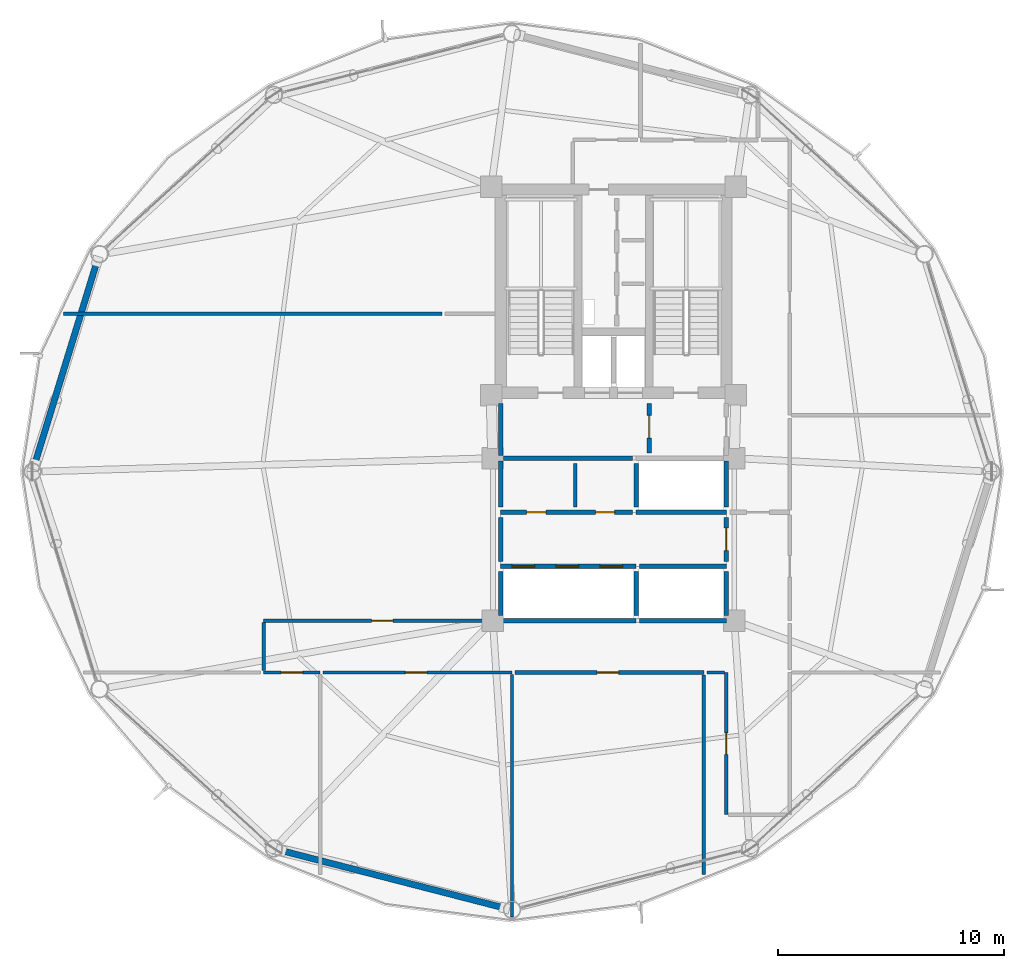
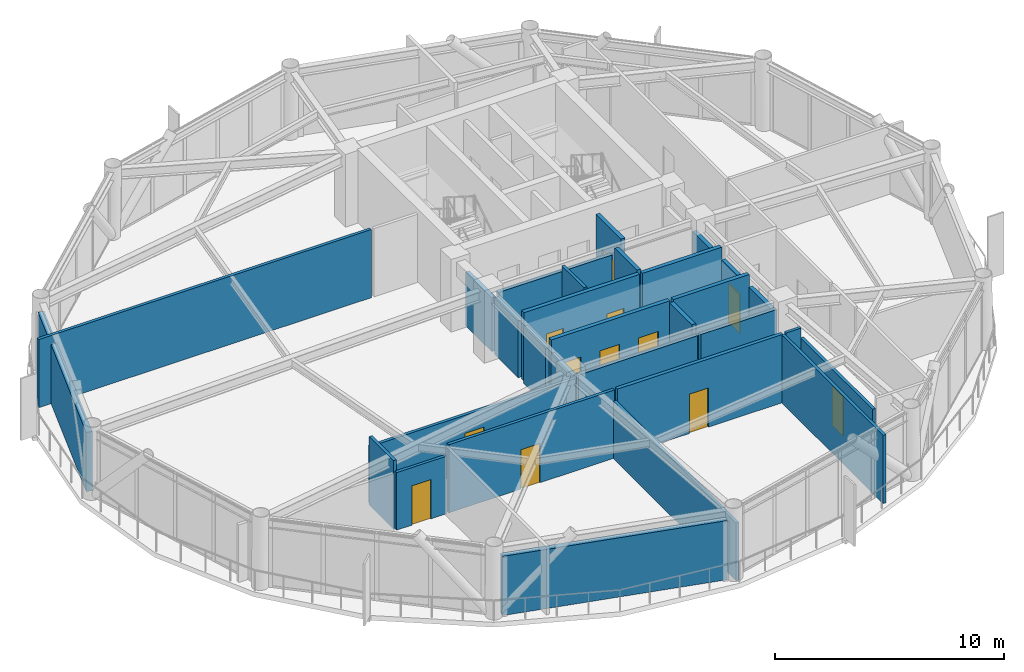
# One storey, part 20 of 25: 30 walls, 12 doors, 12 openings.
"""IFC4 building model written with IfcOpenShell, lengths in metres."""

from ifc_helpers import new_model, si_unit, direction, frame, frame_2d, origin, place, context, subcontext, project, spatial, rectangle, extrude, material, layer, layer_set, type_object, element, fill, save


model = new_model("IFC4")

# Units and contexts
model_context = context("Model", 3, precision=1e-05, world=origin(), true_north=direction((0.0, 1.0)))
body_context = subcontext(model_context, "Body", "Model", "MODEL_VIEW")
ifc_project = project(units=[si_unit("LENGTHUNIT", "METRE"), si_unit("AREAUNIT", "SQUARE_METRE"), si_unit("VOLUMEUNIT", "CUBIC_METRE"), si_unit("PLANEANGLEUNIT", "RADIAN"), si_unit("MASSUNIT", "GRAM", prefix="KILO")], contexts=[model_context])

# Site, building, storey
site_placement = place(None, origin())
site = spatial("IfcSite", under=ifc_project, at=site_placement, CompositionType="ELEMENT")
building_placement = place(site_placement, origin())
building = spatial("IfcBuilding", under=site, at=building_placement, Name="Varnakorn Sky Granary", CompositionType="ELEMENT")
storey_placement = place(building_placement, frame((0.0, 0.0, 122.699951171875)))
storey = spatial("IfcBuildingStorey", under=building, at=storey_placement, Name="L30", CompositionType="ELEMENT", Elevation=122.699951171875)

# Walls
ifc_material_1 = material(Name="Precast concrete C40/50", Category="concrete")
ifc_layer_1 = layer(ifc_material_1, 0.280029296875, Name="Precast concrete C40/50")
ifc_layer_set_1 = layer_set([ifc_layer_1], Name="Precast concrete C40/50")
wall_type_1 = type_object("IfcWallType", Name="WT-EW-CRN-280", PredefinedType="SOLIDWALL", material=ifc_layer_set_1)
wall_1_placement = place(storey_placement, frame((-22.6513671875, 0.3212890625, 0.0), z_axis=(0.0, 0.0, 1.0), x_axis=(0.293816185851, 0.955861940309, 0.0)))
element("IfcWall", 1, at=wall_1_placement, inside=storey, type_object=wall_type_1, Name="Agritech Insulated Precast Facade Wall L30-P06", PredefinedType="SOLIDWALL", context=body_context, shape_type="SweptSolid", body=[
    extrude(rectangle(XDim=9.416015625, YDim=0.280029296875, at=frame_2d((4.7080078125, 0.0))), origin(), (0.0, 0.0, 1.0), 3.16015625),
])
wall_2_placement = place(storey_placement, frame((-1.825439453125, -19.337158203125, 0.0), z_axis=(0.0, 0.0, 1.0), x_axis=(-0.968402744181, 0.249391509604, 0.0)))
element("IfcWall", 2, at=wall_2_placement, inside=storey, type_object=wall_type_1, Name="Agritech Insulated Precast Facade Wall L30-P09", PredefinedType="SOLIDWALL", context=body_context, shape_type="SweptSolid", body=[
    extrude(rectangle(XDim=10.22998046875, YDim=0.280029296875, at=frame_2d((5.114990234375, 0.0))), origin(), (0.0, 0.0, 1.0), 3.16015625),
])

# Wall, opening, door
ifc_material_2 = material(Name="Autoclaved Aerated Concrete Blockwork", Category="masonry")
ifc_layer_2 = layer(ifc_material_2, 0.199951171875, Name="Autoclaved Aerated Concrete Blockwork")
ifc_layer_set_2 = layer_set([ifc_layer_2], Name="Autoclaved Aerated Concrete Blockwork")
wall_type_2 = type_object("IfcWallType", Name="WT-FIRE-200", PredefinedType="MOVABLE", material=ifc_layer_set_2)
wall_3_placement = place(storey_placement, frame((4.580078125, 0.830078125, 0.0), z_axis=(0.0, 0.0, 1.0), x_axis=(0.0, 1.0, 0.0)))
wall_3 = element("IfcWall", 3, at=wall_3_placement, inside=storey, type_object=wall_type_2, Name="Interior Partition Wall L30-014", PredefinedType="MOVABLE", context=body_context, shape_type="SweptSolid", body=[
    extrude(rectangle(XDim=2.18994140625, YDim=0.199951171875, at=frame_2d((1.094970703125, 0.0))), origin(), (0.0, 0.0, 1.0), 3.64013671875),
])
opening_1_placement = place(wall_3_placement, frame((0.659912109375, 0.0, 0.0)))
opening_1 = element("IfcOpeningElement", 4, at=opening_1_placement, cuts=wall_3, Name="Opening FD-60", PredefinedType="OPENING", context=body_context, shape_type="SweptSolid", body=[
    extrude(rectangle(XDim=1.0, YDim=2.10009765625, at=frame_2d((0.5, 1.050048828125))), frame((0.0, 0.10986328125, 0.0), z_axis=(0.0, -1.0, 0.0), x_axis=(1.0, 0.0, 0.0)), (0.0, 0.0, 1.0), 0.219970703125),
])
ifc_material_3 = material(Name="Acoustic Timber Fire Leaf", Category="wood")
door_type_1 = type_object("IfcDoorType", Name="DR-FD60-1000", OperationType="NOTDEFINED", PredefinedType="DOOR", material=ifc_material_3)
door_1_placement = place(opening_1_placement, origin())
door_1 = element("IfcDoor", 5, at=door_1_placement, inside=storey, type_object=door_type_1, Name="Interior Door L30-014-1", OperationType="SINGLE_SWING_RIGHT", OverallHeight=2.10009765625, OverallWidth=1.0, PredefinedType="DOOR", context=body_context, shape_type="SweptSolid", body=[
    extrude(rectangle(XDim=1.0, YDim=2.10009765625, at=frame_2d((0.5, 1.050048828125))), frame((0.0, 0.02490234375, 0.0), z_axis=(0.0, -1.0, 0.0), x_axis=(1.0, 0.0, 0.0)), (0.0, 0.0, 1.0), 0.050048828125),
])
fill(opening_1, door_1)

wall_4_placement = place(storey_placement, frame((8.0, -3.969970703125, 0.0), z_axis=(0.0, 0.0, 1.0), x_axis=(0.0, 1.0, 0.0)))
wall_4 = element("IfcWall", 6, at=wall_4_placement, inside=storey, type_object=wall_type_2, Name="Interior Partition Wall L30-016", PredefinedType="MOVABLE", context=body_context, shape_type="SweptSolid", body=[
    extrude(rectangle(XDim=1.93994140625, YDim=0.199951171875, at=frame_2d((0.969970703125, 0.0))), origin(), (0.0, 0.0, 1.0), 3.072021484375),
])
opening_2_placement = place(wall_4_placement, frame((0.469970703125, 0.0, 0.0)))
opening_2 = element("IfcOpeningElement", 7, at=opening_2_placement, cuts=wall_4, Name="Opening FD-60", PredefinedType="OPENING", context=body_context, shape_type="SweptSolid", body=[
    extrude(rectangle(XDim=1.0, YDim=2.10009765625, at=frame_2d((0.5, 1.050048828125))), frame((0.0, 0.10986328125, 0.0), z_axis=(0.0, -1.0, 0.0), x_axis=(1.0, 0.0, 0.0)), (0.0, 0.0, 1.0), 0.219970703125),
])
door_2_placement = place(opening_2_placement, origin())
door_2 = element("IfcDoor", 8, at=door_2_placement, inside=storey, type_object=door_type_1, Name="Interior Door L30-016-1", OperationType="SINGLE_SWING_RIGHT", OverallHeight=2.10009765625, OverallWidth=1.0, PredefinedType="DOOR", context=body_context, shape_type="SweptSolid", body=[
    extrude(rectangle(XDim=1.0, YDim=2.10009765625, at=frame_2d((0.5, 1.050048828125))), frame((0.0, 0.02490234375, 0.0), z_axis=(0.0, -1.0, 0.0), x_axis=(1.0, 0.0, 0.0)), (0.0, 0.0, 1.0), 0.050048828125),
])
fill(opening_2, door_2)

# Wall, openings, doors
wall_5_placement = place(storey_placement, frame((-2.0, -1.800048828125, 0.0), z_axis=(0.0, 0.0, 1.0), x_axis=(1.0, 0.0, 0.0)))
wall_5 = element("IfcWall", 9, at=wall_5_placement, inside=storey, type_object=wall_type_2, Name="Interior Partition Wall L30-017", PredefinedType="MOVABLE", context=body_context, shape_type="SweptSolid", body=[
    extrude(rectangle(XDim=5.840087890625, YDim=0.199951171875, at=frame_2d((2.919921875, 0.0))), origin(), (0.0, 0.0, 1.0), 3.64013671875),
])
opening_3_placement = place(wall_5_placement, frame((1.14990234375, 0.0, 0.0)))
opening_3 = element("IfcOpeningElement", 10, at=opening_3_placement, cuts=wall_5, Name="Opening FD-60N", PredefinedType="OPENING", context=body_context, shape_type="SweptSolid", body=[
    extrude(rectangle(XDim=0.85009765625, YDim=2.10009765625, at=frame_2d((0.425048828125, 1.050048828125))), frame((0.0, 0.10986328125, 0.0), z_axis=(0.0, -1.0, 0.0), x_axis=(1.0, 0.0, 0.0)), (0.0, 0.0, 1.0), 0.219970703125),
])
opening_4_placement = place(wall_5_placement, frame((4.199951171875, 0.0, 0.0)))
opening_4 = element("IfcOpeningElement", 11, at=opening_4_placement, cuts=wall_5, Name="Opening FD-60N", PredefinedType="OPENING", context=body_context, shape_type="SweptSolid", body=[
    extrude(rectangle(XDim=0.85009765625, YDim=2.10009765625, at=frame_2d((0.425048828125, 1.050048828125))), frame((0.0, 0.10986328125, 0.0), z_axis=(0.0, -1.0, 0.0), x_axis=(1.0, 0.0, 0.0)), (0.0, 0.0, 1.0), 0.219970703125),
])
door_type_2 = type_object("IfcDoorType", Name="DR-FD60-850", OperationType="NOTDEFINED", PredefinedType="DOOR", material=ifc_material_3)
door_3_placement = place(opening_3_placement, origin())
door_3 = element("IfcDoor", 12, at=door_3_placement, inside=storey, type_object=door_type_2, Name="Interior Door L30-017-1", OperationType="SINGLE_SWING_LEFT", OverallHeight=2.10009765625, OverallWidth=0.85009765625, PredefinedType="DOOR", context=body_context, shape_type="SweptSolid", body=[
    extrude(rectangle(XDim=0.85009765625, YDim=2.10009765625, at=frame_2d((0.425048828125, 1.050048828125))), frame((0.0, 0.02490234375, 0.0), z_axis=(0.0, -1.0, 0.0), x_axis=(1.0, 0.0, 0.0)), (0.0, 0.0, 1.0), 0.050048828125),
])
fill(opening_3, door_3)
door_4_placement = place(opening_4_placement, origin())
door_4 = element("IfcDoor", 13, at=door_4_placement, inside=storey, type_object=door_type_2, Name="Interior Door L30-017-2", OperationType="SINGLE_SWING_RIGHT", OverallHeight=2.10009765625, OverallWidth=0.85009765625, PredefinedType="DOOR", context=body_context, shape_type="SweptSolid", body=[
    extrude(rectangle(XDim=0.85009765625, YDim=2.10009765625, at=frame_2d((0.425048828125, 1.050048828125))), frame((0.0, 0.02490234375, 0.0), z_axis=(0.0, -1.0, 0.0), x_axis=(1.0, 0.0, 0.0)), (0.0, 0.0, 1.0), 0.050048828125),
])
fill(opening_4, door_4)

# Walls
wall_6_placement = place(storey_placement, frame((-1.8798828125, 0.60009765625, 0.0), z_axis=(0.0, 0.0, 1.0), x_axis=(1.0, 0.0, 0.0)))
element("IfcWall", 14, at=wall_6_placement, inside=storey, type_object=wall_type_2, Name="Interior Partition Wall L30-030", PredefinedType="MOVABLE", context=body_context, shape_type="SweptSolid", body=[
    extrude(rectangle(XDim=5.719970703125, YDim=0.199951171875, at=frame_2d((2.85986328125, 0.0))), origin(), (0.0, 0.0, 1.0), 3.22216796875),
])
wall_7_placement = place(storey_placement, frame((-2.0, 0.719970703125, 0.0), z_axis=(0.0, 0.0, 1.0), x_axis=(0.0, 1.0, 0.0)))
element("IfcWall", 15, at=wall_7_placement, inside=storey, type_object=wall_type_2, Name="Interior Partition Wall L30-031", PredefinedType="MOVABLE", context=body_context, shape_type="SweptSolid", body=[
    extrude(rectangle(XDim=2.300048828125, YDim=0.199951171875, at=frame_2d((1.14990234375, 0.0))), origin(), (0.0, 0.0, 1.0), 2.8720703125),
])
wall_8_placement = place(storey_placement, frame((-2.0, -3.969970703125, 0.0), z_axis=(0.0, 0.0, 1.0), x_axis=(0.0, 1.0, 0.0)))
element("IfcWall", 16, at=wall_8_placement, inside=storey, type_object=wall_type_2, Name="Interior Partition Wall L30-032", PredefinedType="MOVABLE", context=body_context, shape_type="SweptSolid", body=[
    extrude(rectangle(XDim=1.93994140625, YDim=0.199951171875, at=frame_2d((0.969970703125, 0.0))), origin(), (0.0, 0.0, 1.0), 3.02197265625),
])
wall_9_placement = place(storey_placement, frame((-2.0, -1.570068359375, 0.0), z_axis=(0.0, 0.0, 1.0), x_axis=(0.0, 1.0, 0.0)))
element("IfcWall", 17, at=wall_9_placement, inside=storey, type_object=wall_type_2, Name="Interior Partition Wall L30-034", PredefinedType="MOVABLE", context=body_context, shape_type="SweptSolid", body=[
    extrude(rectangle(XDim=2.050048828125, YDim=0.199951171875, at=frame_2d((1.02490234375, 0.0))), origin(), (0.0, 0.0, 1.0), 3.02197265625),
])

# Wall, opening, door
ifc_material_4 = material(Name="Gypsum Plasterboard on Steel Stud", Category="steel")
ifc_layer_3 = layer(ifc_material_4, 0.14990234375, Name="Gypsum Plasterboard on Steel Stud")
ifc_layer_set_3 = layer_set([ifc_layer_3], Name="Gypsum Plasterboard on Steel Stud")
wall_type_3 = type_object("IfcWallType", Name="WT-PART-150", PredefinedType="PARTITIONING", material=ifc_layer_set_3)
wall_10_placement = place(storey_placement, frame((-12.5, -8.89990234375, 0.0), z_axis=(0.0, 0.0, 1.0), x_axis=(1.0, 0.0, 0.0)))
wall_10 = element("IfcWall", 18, at=wall_10_placement, inside=storey, type_object=wall_type_3, Name="Interior Partition Wall L30-020", PredefinedType="PARTITIONING", context=body_context, shape_type="SweptSolid", body=[
    extrude(rectangle(XDim=2.5, YDim=0.14990234375, at=frame_2d((1.25, 0.0))), origin(), (0.0, 0.0, 1.0), 3.072021484375),
])
opening_5_placement = place(wall_10_placement, frame((0.77490234375, 0.0, 0.0)))
opening_5 = element("IfcOpeningElement", 19, at=opening_5_placement, cuts=wall_10, Name="Opening ID-95", PredefinedType="OPENING", context=body_context, shape_type="SweptSolid", body=[
    extrude(rectangle(XDim=0.949951171875, YDim=2.10009765625, at=frame_2d((0.47509765625, 1.050048828125))), frame((0.0, 0.0849609375, 0.0), z_axis=(0.0, -1.0, 0.0), x_axis=(1.0, 0.0, 0.0)), (0.0, 0.0, 1.0), 0.169921875),
])
ifc_material_5 = material(Name="Solid-Core Teak Veneer Leaf", Category="timber")
door_type_3 = type_object("IfcDoorType", Name="DR-INT-950", OperationType="NOTDEFINED", PredefinedType="DOOR", material=ifc_material_5)
door_5_placement = place(opening_5_placement, origin())
door_5 = element("IfcDoor", 20, at=door_5_placement, inside=storey, type_object=door_type_3, Name="Interior Door L30-020-1", OperationType="SINGLE_SWING_LEFT", OverallHeight=2.10009765625, OverallWidth=0.949951171875, PredefinedType="DOOR", context=body_context, shape_type="SweptSolid", body=[
    extrude(rectangle(XDim=0.949951171875, YDim=2.10009765625, at=frame_2d((0.47509765625, 1.050048828125))), frame((0.0, 0.02490234375, 0.0), z_axis=(0.0, -1.0, 0.0), x_axis=(1.0, 0.0, 0.0)), (0.0, 0.0, 1.0), 0.050048828125),
])
fill(opening_5, door_5)

wall_11_placement = place(storey_placement, frame((-9.864990234375, -8.89990234375, 0.0), z_axis=(0.0, 0.0, 1.0), x_axis=(1.0, 0.0, 0.0)))
wall_11 = element("IfcWall", 21, at=wall_11_placement, inside=storey, type_object=wall_type_3, Name="Interior Partition Wall L30-021", PredefinedType="PARTITIONING", context=body_context, shape_type="SweptSolid", body=[
    extrude(rectangle(XDim=8.364990234375, YDim=0.14990234375, at=frame_2d((4.1826171875, 0.0))), origin(), (0.0, 0.0, 1.0), 3.64013671875),
])
opening_6_placement = place(wall_11_placement, frame((3.639892578125, 0.0, 0.0)))
opening_6 = element("IfcOpeningElement", 22, at=opening_6_placement, cuts=wall_11, Name="Opening ID-95", PredefinedType="OPENING", context=body_context, shape_type="SweptSolid", body=[
    extrude(rectangle(XDim=0.949951171875, YDim=2.10009765625, at=frame_2d((0.47509765625, 1.050048828125))), frame((0.0, 0.0849609375, 0.0), z_axis=(0.0, -1.0, 0.0), x_axis=(1.0, 0.0, 0.0)), (0.0, 0.0, 1.0), 0.169921875),
])
door_6_placement = place(opening_6_placement, origin())
door_6 = element("IfcDoor", 23, at=door_6_placement, inside=storey, type_object=door_type_3, Name="Interior Door L30-021-1", OperationType="SINGLE_SWING_RIGHT", OverallHeight=2.10009765625, OverallWidth=0.949951171875, PredefinedType="DOOR", context=body_context, shape_type="SweptSolid", body=[
    extrude(rectangle(XDim=0.949951171875, YDim=2.10009765625, at=frame_2d((0.47509765625, 1.050048828125))), frame((0.0, 0.02490234375, 0.0), z_axis=(0.0, -1.0, 0.0), x_axis=(1.0, 0.0, 0.0)), (0.0, 0.0, 1.0), 0.050048828125),
])
fill(opening_6, door_6)

wall_12_placement = place(storey_placement, frame((8.0, -8.89990234375, 0.0), z_axis=(0.0, 0.0, 1.0), x_axis=(0.0, -1.0, 0.0)))
wall_12 = element("IfcWall", 24, at=wall_12_placement, inside=storey, type_object=wall_type_3, Name="Interior Partition Wall L30-023", PredefinedType="PARTITIONING", context=body_context, shape_type="SweptSolid", body=[
    extrude(rectangle(XDim=6.300048828125, YDim=0.14990234375, at=frame_2d((3.14990234375, 0.0))), origin(), (0.0, 0.0, 1.0), 3.072021484375),
])
opening_7_placement = place(wall_12_placement, frame((2.675048828125, 0.0, 0.0)))
opening_7 = element("IfcOpeningElement", 25, at=opening_7_placement, cuts=wall_12, Name="Opening ID-95", PredefinedType="OPENING", context=body_context, shape_type="SweptSolid", body=[
    extrude(rectangle(XDim=0.949951171875, YDim=2.10009765625, at=frame_2d((0.47509765625, 1.050048828125))), frame((0.0, 0.0849609375, 0.0), z_axis=(0.0, -1.0, 0.0), x_axis=(1.0, 0.0, 0.0)), (0.0, 0.0, 1.0), 0.169921875),
])
door_7_placement = place(opening_7_placement, origin())
door_7 = element("IfcDoor", 26, at=door_7_placement, inside=storey, type_object=door_type_3, Name="Interior Door L30-023-1", OperationType="SINGLE_SWING_RIGHT", OverallHeight=2.10009765625, OverallWidth=0.949951171875, PredefinedType="DOOR", context=body_context, shape_type="SweptSolid", body=[
    extrude(rectangle(XDim=0.949951171875, YDim=2.10009765625, at=frame_2d((0.47509765625, 1.050048828125))), frame((0.0, 0.02490234375, 0.0), z_axis=(0.0, -1.0, 0.0), x_axis=(1.0, 0.0, 0.0)), (0.0, 0.0, 1.0), 0.050048828125),
])
fill(opening_7, door_7)

wall_13_placement = place(storey_placement, frame((-2.159912109375, -6.60009765625, 0.0), z_axis=(0.0, 0.0, 1.0), x_axis=(-1.0, 0.0, 0.0)))
wall_13 = element("IfcWall", 27, at=wall_13_placement, inside=storey, type_object=wall_type_3, Name="Interior Partition Wall L30-024", PredefinedType="PARTITIONING", context=body_context, shape_type="SweptSolid", body=[
    extrude(rectangle(XDim=10.340087890625, YDim=0.14990234375, at=frame_2d((5.169921875, 0.0))), origin(), (0.0, 0.0, 1.0), 3.072021484375),
])
opening_8_placement = place(wall_13_placement, frame((4.614990234375, 0.0, 0.0)))
opening_8 = element("IfcOpeningElement", 28, at=opening_8_placement, cuts=wall_13, Name="Opening ID-95", PredefinedType="OPENING", context=body_context, shape_type="SweptSolid", body=[
    extrude(rectangle(XDim=0.949951171875, YDim=2.10009765625, at=frame_2d((0.47509765625, 1.050048828125))), frame((0.0, 0.0849609375, 0.0), z_axis=(0.0, -1.0, 0.0), x_axis=(1.0, 0.0, 0.0)), (0.0, 0.0, 1.0), 0.169921875),
])
door_8_placement = place(opening_8_placement, origin())
door_8 = element("IfcDoor", 29, at=door_8_placement, inside=storey, type_object=door_type_3, Name="Interior Door L30-024-1", OperationType="SINGLE_SWING_LEFT", OverallHeight=2.10009765625, OverallWidth=0.949951171875, PredefinedType="DOOR", context=body_context, shape_type="SweptSolid", body=[
    extrude(rectangle(XDim=0.949951171875, YDim=2.10009765625, at=frame_2d((0.47509765625, 1.050048828125))), frame((0.0, 0.02490234375, 0.0), z_axis=(0.0, -1.0, 0.0), x_axis=(1.0, 0.0, 0.0)), (0.0, 0.0, 1.0), 0.050048828125),
])
fill(opening_8, door_8)

# Walls
wall_14_placement = place(storey_placement, frame((1.300048828125, -1.570068359375, 0.0), z_axis=(0.0, 0.0, 1.0), x_axis=(0.0, 1.0, 0.0)))
element("IfcWall", 30, at=wall_14_placement, inside=storey, type_object=wall_type_3, Name="Interior Partition Wall L30-033", PredefinedType="PARTITIONING", context=body_context, shape_type="SweptSolid", body=[
    extrude(rectangle(XDim=1.940185546875, YDim=0.14990234375, at=frame_2d((0.97021484375, 0.0))), origin(), (0.0, 0.0, 1.0), 3.64013671875),
])
wall_15_placement = place(storey_placement, frame((-1.5, -8.985107421875, 0.0), z_axis=(0.0, 0.0, 1.0), x_axis=(0.0, -1.0, 0.0)))
element("IfcWall", 31, at=wall_15_placement, inside=storey, type_object=wall_type_3, Name="Interior Partition Wall L30-038", PredefinedType="PARTITIONING", context=body_context, shape_type="SweptSolid", body=[
    extrude(rectangle(XDim=10.745849609375, YDim=0.14990234375, at=frame_2d((5.373046875, 0.0))), origin(), (0.0, 0.0, 1.0), 3.072021484375),
])
wall_16_placement = place(storey_placement, frame((7.0, -9.0, 0.0), z_axis=(0.0, 0.0, 1.0), x_axis=(0.0, -1.0, 0.0)))
element("IfcWall", 32, at=wall_16_placement, inside=storey, type_object=wall_type_3, Name="Interior Partition Wall L30-039", PredefinedType="PARTITIONING", context=body_context, shape_type="SweptSolid", body=[
    extrude(rectangle(XDim=8.85009765625, YDim=0.14990234375, at=frame_2d((4.425048828125, 0.0))), origin(), (0.0, 0.0, 1.0), 3.64013671875),
])
wall_17_placement = place(storey_placement, frame((7.14990234375, -8.89990234375, 0.0), z_axis=(0.0, 0.0, 1.0), x_axis=(1.0, 0.0, 0.0)))
element("IfcWall", 33, at=wall_17_placement, inside=storey, type_object=wall_type_3, Name="Interior Partition Wall L30-042", PredefinedType="PARTITIONING", context=body_context, shape_type="SweptSolid", body=[
    extrude(rectangle(XDim=0.76513671875, YDim=0.14990234375, at=frame_2d((0.382568359375, 0.0))), origin(), (0.0, 0.0, 1.0), 3.64013671875),
])
wall_18_placement = place(storey_placement, frame((-12.5, -6.68505859375, 0.0), z_axis=(0.0, 0.0, 1.0), x_axis=(0.0, -1.0, 0.0)))
element("IfcWall", 34, at=wall_18_placement, inside=storey, type_object=wall_type_3, Name="Interior Partition Wall L30-044", PredefinedType="PARTITIONING", context=body_context, shape_type="SweptSolid", body=[
    extrude(rectangle(XDim=2.1298828125, YDim=0.14990234375, at=frame_2d((1.06494140625, 0.0))), origin(), (0.0, 0.0, 1.0), 3.64013671875),
])
wall_19_placement = place(storey_placement, frame((-21.3798828125, 7.0, 0.0), z_axis=(0.0, 0.0, 1.0), x_axis=(1.0, 0.0, 0.0)))
element("IfcWall", 35, at=wall_19_placement, inside=storey, type_object=wall_type_3, Name="Interior Partition Wall L30-045", PredefinedType="PARTITIONING", context=body_context, shape_type="SweptSolid", body=[
    extrude(rectangle(XDim=16.77978515625, YDim=0.14990234375, at=frame_2d((8.389892578125, 0.0))), origin(), (0.0, 0.0, 1.0), 3.64013671875),
])

# Wall, opening, door
ifc_material_6 = material(Name="Moisture-Resistant Gypsum on Stud", Category="gypsum")
ifc_layer_4 = layer(ifc_material_6, 0.179931640625, Name="Moisture-Resistant Gypsum on Stud")
ifc_layer_set_4 = layer_set([ifc_layer_4], Name="Moisture-Resistant Gypsum on Stud")
wall_type_4 = type_object("IfcWallType", Name="WT-PLUMB-180", PredefinedType="PLUMBINGWALL", material=ifc_layer_set_4)
wall_20_placement = place(storey_placement, frame((-1.364990234375, -8.89990234375, 0.0), z_axis=(0.0, 0.0, 1.0), x_axis=(1.0, 0.0, 0.0)))
wall_20 = element("IfcWall", 36, at=wall_20_placement, inside=storey, type_object=wall_type_4, Name="Interior Partition Wall L30-022", PredefinedType="PLUMBINGWALL", context=body_context, shape_type="SweptSolid", body=[
    extrude(rectangle(XDim=8.364990234375, YDim=0.179931640625, at=frame_2d((4.1826171875, 0.0))), origin(), (0.0, 0.0, 1.0), 3.64013671875),
])
opening_9_placement = place(wall_20_placement, frame((3.639892578125, 0.0, 0.0)))
opening_9 = element("IfcOpeningElement", 37, at=opening_9_placement, cuts=wall_20, Name="Opening ID-95", PredefinedType="OPENING", context=body_context, shape_type="SweptSolid", body=[
    extrude(rectangle(XDim=0.949951171875, YDim=2.10009765625, at=frame_2d((0.47509765625, 1.050048828125))), frame((0.0, 0.10009765625, 0.0), z_axis=(0.0, -1.0, 0.0), x_axis=(1.0, 0.0, 0.0)), (0.0, 0.0, 1.0), 0.199951171875),
])
door_9_placement = place(opening_9_placement, origin())
door_9 = element("IfcDoor", 38, at=door_9_placement, inside=storey, type_object=door_type_3, Name="Interior Door L30-022-1", OperationType="SINGLE_SWING_LEFT", OverallHeight=2.10009765625, OverallWidth=0.949951171875, PredefinedType="DOOR", context=body_context, shape_type="SweptSolid", body=[
    extrude(rectangle(XDim=0.949951171875, YDim=2.10009765625, at=frame_2d((0.47509765625, 1.050048828125))), frame((0.0, 0.02490234375, 0.0), z_axis=(0.0, -1.0, 0.0), x_axis=(1.0, 0.0, 0.0)), (0.0, 0.0, 1.0), 0.050048828125),
])
fill(opening_9, door_9)

# Walls
ifc_layer_5 = layer(ifc_material_2, 0.199951171875, Name="Autoclaved Aerated Concrete Blockwork")
ifc_layer_set_5 = layer_set([ifc_layer_5], Name="Autoclaved Aerated Concrete Blockwork")
wall_type_5 = type_object("IfcWallType", Name="WT-SHAFT-200", PredefinedType="SOLIDWALL", material=ifc_layer_set_5)
wall_21_placement = place(storey_placement, frame((4.0, -1.800048828125, 0.0), z_axis=(0.0, 0.0, 1.0), x_axis=(1.0, 0.0, 0.0)))
element("IfcWall", 39, at=wall_21_placement, inside=storey, type_object=wall_type_5, Name="Interior Partition Wall L30-003", PredefinedType="SOLIDWALL", context=body_context, shape_type="SweptSolid", body=[
    extrude(rectangle(XDim=4.0, YDim=0.199951171875, at=frame_2d((2.0, 0.0))), origin(), (0.0, 0.0, 1.0), 3.64013671875),
])
wall_22_placement = place(storey_placement, frame((4.0, -1.570068359375, 0.0), z_axis=(0.0, 0.0, 1.0), x_axis=(0.0, 1.0, 0.0)))
element("IfcWall", 40, at=wall_22_placement, inside=storey, type_object=wall_type_5, Name="Interior Partition Wall L30-004", PredefinedType="SOLIDWALL", context=body_context, shape_type="SweptSolid", body=[
    extrude(rectangle(XDim=1.940185546875, YDim=0.199951171875, at=frame_2d((0.97021484375, 0.0))), origin(), (0.0, 0.0, 1.0), 3.64013671875),
])
wall_23_placement = place(storey_placement, frame((8.0, -1.570068359375, 0.0), z_axis=(0.0, 0.0, 1.0), x_axis=(0.0, 1.0, 0.0)))
element("IfcWall", 41, at=wall_23_placement, inside=storey, type_object=wall_type_5, Name="Interior Partition Wall L30-005", PredefinedType="SOLIDWALL", context=body_context, shape_type="SweptSolid", body=[
    extrude(rectangle(XDim=2.050048828125, YDim=0.199951171875, at=frame_2d((1.02490234375, 0.0))), origin(), (0.0, 0.0, 1.0), 3.072021484375),
])

# Wall, openings, doors
wall_24_placement = place(storey_placement, frame((-2.0, -4.199951171875, 0.0), z_axis=(0.0, 0.0, 1.0), x_axis=(1.0, 0.0, 0.0)))
wall_24 = element("IfcWall", 42, at=wall_24_placement, inside=storey, type_object=wall_type_5, Name="Interior Partition Wall L30-006", PredefinedType="SOLIDWALL", context=body_context, shape_type="SweptSolid", body=[
    extrude(rectangle(XDim=6.0, YDim=0.199951171875, at=frame_2d((3.0, 0.0))), origin(), (0.0, 0.0, 1.0), 3.64013671875),
])
opening_10_placement = place(wall_24_placement, frame((0.5, 0.0, 0.0)))
opening_10 = element("IfcOpeningElement", 43, at=opening_10_placement, cuts=wall_24, Name="Opening LD-03", PredefinedType="OPENING", context=body_context, shape_type="SweptSolid", body=[
    extrude(rectangle(XDim=1.0, YDim=2.199951171875, at=frame_2d((0.5, 1.10009765625))), frame((0.0, 0.10986328125, 0.0), z_axis=(0.0, -1.0, 0.0), x_axis=(1.0, 0.0, 0.0)), (0.0, 0.0, 1.0), 0.219970703125),
])
opening_11_placement = place(wall_24_placement, frame((2.449951171875, 0.0, 0.0)))
opening_11 = element("IfcOpeningElement", 44, at=opening_11_placement, cuts=wall_24, Name="Opening LD-03", PredefinedType="OPENING", context=body_context, shape_type="SweptSolid", body=[
    extrude(rectangle(XDim=1.0, YDim=2.199951171875, at=frame_2d((0.5, 1.10009765625))), frame((0.0, 0.10986328125, 0.0), z_axis=(0.0, -1.0, 0.0), x_axis=(1.0, 0.0, 0.0)), (0.0, 0.0, 1.0), 0.219970703125),
])
opening_12_placement = place(wall_24_placement, frame((4.39990234375, 0.0, 0.0)))
opening_12 = element("IfcOpeningElement", 45, at=opening_12_placement, cuts=wall_24, Name="Opening LD-03", PredefinedType="OPENING", context=body_context, shape_type="SweptSolid", body=[
    extrude(rectangle(XDim=1.0, YDim=2.199951171875, at=frame_2d((0.5, 1.10009765625))), frame((0.0, 0.10986328125, 0.0), z_axis=(0.0, -1.0, 0.0), x_axis=(1.0, 0.0, 0.0)), (0.0, 0.0, 1.0), 0.219970703125),
])
ifc_material_7 = material(Name="Brushed Bronze Stainless Steel", Category="steel")
door_type_4 = type_object("IfcDoorType", Name="DR-LD-1000", OperationType="DOUBLE_DOOR_SLIDING", PredefinedType="DOOR", material=ifc_material_7)
door_10_placement = place(opening_10_placement, origin())
door_10 = element("IfcDoor", 46, at=door_10_placement, inside=storey, type_object=door_type_4, Name="Passenger Lift PL-M1 Sliding Landing Door L30", OperationType="DOUBLE_DOOR_SLIDING", OverallHeight=2.199951171875, OverallWidth=1.0, PredefinedType="DOOR", context=body_context, shape_type="SweptSolid", body=[
    extrude(rectangle(XDim=1.0, YDim=2.199951171875, at=frame_2d((0.5, 1.10009765625))), frame((0.0, 0.02490234375, 0.0), z_axis=(0.0, -1.0, 0.0), x_axis=(1.0, 0.0, 0.0)), (0.0, 0.0, 1.0), 0.050048828125),
])
fill(opening_10, door_10)
door_11_placement = place(opening_11_placement, origin())
door_11 = element("IfcDoor", 47, at=door_11_placement, inside=storey, type_object=door_type_4, Name="Passenger Lift PL-M2 Sliding Landing Door L30", OperationType="DOUBLE_DOOR_SLIDING", OverallHeight=2.199951171875, OverallWidth=1.0, PredefinedType="DOOR", context=body_context, shape_type="SweptSolid", body=[
    extrude(rectangle(XDim=1.0, YDim=2.199951171875, at=frame_2d((0.5, 1.10009765625))), frame((0.0, 0.02490234375, 0.0), z_axis=(0.0, -1.0, 0.0), x_axis=(1.0, 0.0, 0.0)), (0.0, 0.0, 1.0), 0.050048828125),
])
fill(opening_11, door_11)
door_12_placement = place(opening_12_placement, origin())
door_12 = element("IfcDoor", 48, at=door_12_placement, inside=storey, type_object=door_type_4, Name="Passenger Lift PL-M3 Sliding Landing Door L30", OperationType="DOUBLE_DOOR_SLIDING", OverallHeight=2.199951171875, OverallWidth=1.0, PredefinedType="DOOR", context=body_context, shape_type="SweptSolid", body=[
    extrude(rectangle(XDim=1.0, YDim=2.199951171875, at=frame_2d((0.5, 1.10009765625))), frame((0.0, 0.02490234375, 0.0), z_axis=(0.0, -1.0, 0.0), x_axis=(1.0, 0.0, 0.0)), (0.0, 0.0, 1.0), 0.050048828125),
])
fill(opening_12, door_12)

# Walls
wall_25_placement = place(storey_placement, frame((-2.0, -6.60009765625, 0.0), z_axis=(0.0, 0.0, 1.0), x_axis=(1.0, 0.0, 0.0)))
element("IfcWall", 49, at=wall_25_placement, inside=storey, type_object=wall_type_5, Name="Interior Partition Wall L30-007", PredefinedType="SOLIDWALL", context=body_context, shape_type="SweptSolid", body=[
    extrude(rectangle(XDim=6.0, YDim=0.199951171875, at=frame_2d((3.0, 0.0))), origin(), (0.0, 0.0, 1.0), 3.22216796875),
])
wall_26_placement = place(storey_placement, frame((-2.0, -6.3701171875, 0.0), z_axis=(0.0, 0.0, 1.0), x_axis=(0.0, 1.0, 0.0)))
element("IfcWall", 50, at=wall_26_placement, inside=storey, type_object=wall_type_5, Name="Interior Partition Wall L30-008", PredefinedType="SOLIDWALL", context=body_context, shape_type="SweptSolid", body=[
    extrude(rectangle(XDim=1.940185546875, YDim=0.199951171875, at=frame_2d((0.97021484375, 0.0))), origin(), (0.0, 0.0, 1.0), 3.02197265625),
])
wall_27_placement = place(storey_placement, frame((4.159912109375, -4.199951171875, 0.0), z_axis=(0.0, 0.0, 1.0), x_axis=(1.0, 0.0, 0.0)))
element("IfcWall", 51, at=wall_27_placement, inside=storey, type_object=wall_type_5, Name="Interior Partition Wall L30-009", PredefinedType="SOLIDWALL", context=body_context, shape_type="SweptSolid", body=[
    extrude(rectangle(XDim=3.840087890625, YDim=0.199951171875, at=frame_2d((1.919921875, 0.0))), origin(), (0.0, 0.0, 1.0), 3.64013671875),
])
wall_28_placement = place(storey_placement, frame((4.159912109375, -6.60009765625, 0.0), z_axis=(0.0, 0.0, 1.0), x_axis=(1.0, 0.0, 0.0)))
element("IfcWall", 52, at=wall_28_placement, inside=storey, type_object=wall_type_5, Name="Interior Partition Wall L30-010", PredefinedType="SOLIDWALL", context=body_context, shape_type="SweptSolid", body=[
    extrude(rectangle(XDim=3.840087890625, YDim=0.199951171875, at=frame_2d((1.919921875, 0.0))), origin(), (0.0, 0.0, 1.0), 3.22216796875),
])
wall_29_placement = place(storey_placement, frame((4.0, -6.3701171875, 0.0), z_axis=(0.0, 0.0, 1.0), x_axis=(0.0, 1.0, 0.0)))
element("IfcWall", 53, at=wall_29_placement, inside=storey, type_object=wall_type_5, Name="Interior Partition Wall L30-011", PredefinedType="SOLIDWALL", context=body_context, shape_type="SweptSolid", body=[
    extrude(rectangle(XDim=1.940185546875, YDim=0.199951171875, at=frame_2d((0.97021484375, 0.0))), origin(), (0.0, 0.0, 1.0), 3.64013671875),
])
wall_30_placement = place(storey_placement, frame((8.0, -6.3701171875, 0.0), z_axis=(0.0, 0.0, 1.0), x_axis=(0.0, 1.0, 0.0)))
element("IfcWall", 54, at=wall_30_placement, inside=storey, type_object=wall_type_5, Name="Interior Partition Wall L30-012", PredefinedType="SOLIDWALL", context=body_context, shape_type="SweptSolid", body=[
    extrude(rectangle(XDim=1.940185546875, YDim=0.199951171875, at=frame_2d((0.97021484375, 0.0))), origin(), (0.0, 0.0, 1.0), 3.072021484375),
])

save(model, "model.ifc")
